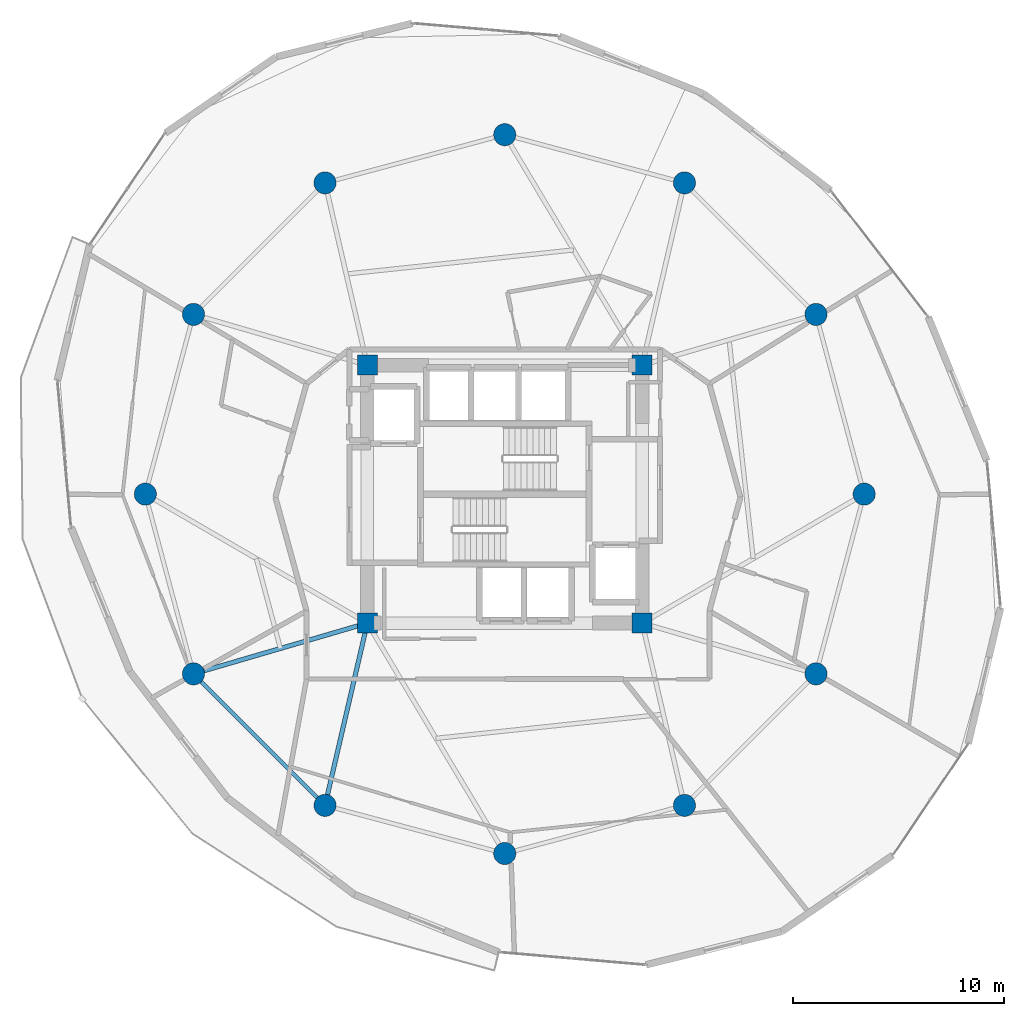
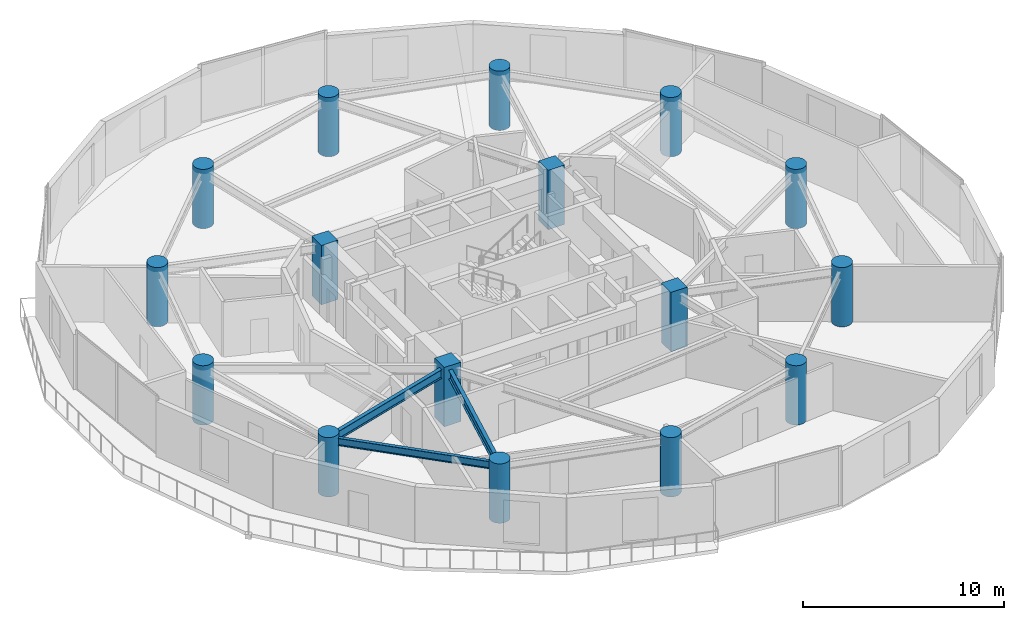
# One storey, part 1 of 22: 16 columns, 3 beams.
"""IFC4 building model written with IfcOpenShell, lengths in metres."""

import ifcopenshell
import ifcopenshell.guid

model = None  # the IFC model being written
_history = None  # IfcOwnerHistory: only IFC2X3 demands one
_inside = {}  # id of a spatial element -> (the spatial element, [elements in it])
_under = {}  # id of a project, library or spatial element -> (it, [spatial elements below it])
_declared = {}  # id of a project -> (the project, [libraries it declares])
_typed = {}  # id of a type object -> (the type object, [elements of that type])
_made_of = {}  # id of a material, layer set ... -> (it, [elements and type objects made of it])


def new_model(schema):
    """Start an empty IFC model of exactly this schema.

    Asked for "IFC4X3", IfcOpenShell would pick the latest addendum, in which some entities
    have other attributes; the version numbers below select the first issue.
    IFC2X3 requires an IfcOwnerHistory on every rooted entity: one is made here for all.
    """
    global model, _history
    if schema == "IFC4X3":
        model = ifcopenshell.file(schema_version=(4, 3, 0, 0))
    else:
        model = ifcopenshell.file(schema=schema)
    _inside.clear()
    _under.clear()
    _declared.clear()
    _typed.clear()
    _made_of.clear()
    _history = None
    if model.schema == "IFC2X3":
        org = make("IfcOrganization", Name="unknown")
        user = make(
            "IfcPersonAndOrganization",
            ThePerson=make("IfcPerson", FamilyName="unknown"),
            TheOrganization=org,
        )
        app = make(
            "IfcApplication",
            ApplicationDeveloper=org,
            Version="unknown",
            ApplicationFullName="unknown",
            ApplicationIdentifier="unknown",
        )
        _history = make(
            "IfcOwnerHistory",
            OwningUser=user,
            OwningApplication=app,
            ChangeAction="ADDED",
            CreationDate=0,
        )
    return model


def make(cls, **values):
    """One entity of the class cls with the attributes given. An attribute that is None is left unset."""
    return model.create_entity(
        cls, **{name: value for name, value in values.items() if value is not None}
    )


def rooted(cls, **values):
    """An entity with a GlobalId (a new one), such as an element, a storey or a relation."""
    return make(cls, GlobalId=ifcopenshell.guid.new(), OwnerHistory=_history, **values)


def si_unit(unit_type, name, prefix=None):
    """IfcSIUnit, for example si_unit("LENGTHUNIT", "METRE", prefix="MILLI")."""
    return make("IfcSIUnit", UnitType=unit_type, Prefix=prefix, Name=name)


def assignment(units):
    """IfcUnitAssignment: the units of a project."""
    return None if units is None else make("IfcUnitAssignment", Units=units)


def point(xyz):
    """IfcCartesianPoint."""
    return None if xyz is None else make("IfcCartesianPoint", Coordinates=xyz)


def direction(xyz):
    """IfcDirection."""
    return None if xyz is None else make("IfcDirection", DirectionRatios=xyz)


def frame(location, z_axis=None, x_axis=None):
    """IfcAxis2Placement3D, a coordinate frame: its origin and axes. An axis left out is left unset."""
    return make(
        "IfcAxis2Placement3D",
        Location=point(location),
        Axis=direction(z_axis),
        RefDirection=direction(x_axis),
    )


def frame_2d(location, x_axis=None):
    """IfcAxis2Placement2D, a coordinate frame in the plane: its origin and x axis."""
    return make(
        "IfcAxis2Placement2D", Location=point(location), RefDirection=direction(x_axis)
    )


def origin():
    """The frame at (0, 0, 0) with its axes left unset."""
    return frame((0.0, 0.0, 0.0))


def origin_2d():
    """The frame at (0, 0) in the plane with its x axis left unset."""
    return frame_2d((0.0, 0.0))


def place(relative_to, where):
    """IfcLocalPlacement: puts the frame where relative to a parent placement (None: the world)."""
    return make(
        "IfcLocalPlacement", PlacementRelTo=relative_to, RelativePlacement=where
    )


def context(
    kind, dimensions, precision=None, world=None, true_north=None, identifier=None
):
    """IfcGeometricRepresentationContext, for example the 3D "Model" context."""
    return make(
        "IfcGeometricRepresentationContext",
        ContextIdentifier=identifier,
        ContextType=kind,
        CoordinateSpaceDimension=dimensions,
        Precision=precision,
        WorldCoordinateSystem=world,
        TrueNorth=true_north,
    )


def subcontext(parent, identifier, kind, view, scale=None):
    """IfcGeometricRepresentationSubContext, for example "Body" below "Model"."""
    return make(
        "IfcGeometricRepresentationSubContext",
        ContextIdentifier=identifier,
        ContextType=kind,
        ParentContext=parent,
        TargetScale=scale,
        TargetView=view,
    )


def project(units=None, contexts=None):
    """IfcProject with its units and contexts."""
    return rooted(
        "IfcProject",
        Name="project",
        RepresentationContexts=contexts,
        UnitsInContext=assignment(units),
    )


def spatial(cls, under=None, at=None, **own):
    """A site, building, storey or space (cls), placed at a placement, below another one or the project."""
    s = rooted(cls, ObjectPlacement=at, **own)
    if under is not None:
        _under.setdefault(under.id(), (under, []))[1].append(s)
    return s


def profile(cls, at=None, kind="AREA", **sizes):
    """A parametric profile (cls). Its sizes go by their IFC names, for example OverallWidth=200.0."""
    return make(cls, ProfileType=kind, Position=at, **sizes)


def rectangle(**sizes):
    """IfcRectangleProfileDef."""
    return profile("IfcRectangleProfileDef", **sizes)


def circle(**sizes):
    """IfcCircleProfileDef."""
    return profile("IfcCircleProfileDef", **sizes)


def i_section(**sizes):
    """IfcIShapeProfileDef."""
    return profile("IfcIShapeProfileDef", **sizes)


def extrude(swept, where, along, depth):
    """IfcExtrudedAreaSolid: the profile swept, set in the frame where, extruded along a direction by depth."""
    return make(
        "IfcExtrudedAreaSolid",
        SweptArea=swept,
        Position=where,
        ExtrudedDirection=direction(along),
        Depth=depth,
    )


def shape(context_of_items, identifier, shape_type, items):
    """IfcShapeRepresentation: the items that make up one representation, for example the "Body"."""
    return make(
        "IfcShapeRepresentation",
        ContextOfItems=context_of_items,
        RepresentationIdentifier=identifier,
        RepresentationType=shape_type,
        Items=items,
    )


def material(Name=None, Category=None):
    """IfcMaterial."""
    return make("IfcMaterial", Name=Name, Category=Category)


def material_profile(
    of_material, cross_section, Name=None, Category=None, Priority=None
):
    """IfcMaterialProfile: a cross section and its material."""
    return make(
        "IfcMaterialProfile",
        Name=Name,
        Material=of_material,
        Profile=cross_section,
        Priority=Priority,
        Category=Category,
    )


def profile_set(profiles, Name=None, composite=None):
    """IfcMaterialProfileSet."""
    return make(
        "IfcMaterialProfileSet",
        Name=Name,
        MaterialProfiles=profiles,
        CompositeProfile=composite,
    )


def made_of(thing, what):
    """Note that an element or type object is made of a material, layer set ...; save() writes the relation."""
    if what is not None:
        _made_of.setdefault(what.id(), (what, []))[1].append(thing)
    return thing


def type_object(cls, material=None, **own):
    """A type object (cls), such as IfcWallType, which elements share."""
    return made_of(rooted(cls, **own), material)


def element(
    cls,
    number,
    at=None,
    inside=None,
    cuts=None,
    type_object=None,
    material=None,
    context=None,
    identifier="Body",
    shape_type=None,
    held_by="IfcProductDefinitionShape",
    body=None,
    shapes=None,
    **own,
):
    """One element of the class cls, such as IfcWall. Its Tag is "e" and its number.

    at: its placement. inside: the storey or other place that contains it. cuts: it is an
    opening in that element (IfcRelVoidsElement). A single representation is given by context,
    identifier, shape_type and body (its items); several are given by shapes. held_by: the class
    of the entity that holds the representations. save() writes the other relations.
    """
    e = rooted(cls, Tag="e%d" % number, ObjectPlacement=at, **own)
    if body is not None:
        shapes = [shape(context, identifier, shape_type, body)]
    if shapes is not None:
        e.Representation = make(held_by, Representations=shapes)
    if inside is not None:
        _inside.setdefault(inside.id(), (inside, []))[1].append(e)
    if cuts is not None:
        rooted(
            "IfcRelVoidsElement", RelatingBuildingElement=cuts, RelatedOpeningElement=e
        )
    if type_object is not None:
        _typed.setdefault(type_object.id(), (type_object, []))[1].append(e)
    return made_of(e, material)


def aggregate(whole, parts):
    """IfcRelAggregates: a whole, such as a stair, and the parts it consists of."""
    return rooted("IfcRelAggregates", RelatingObject=whole, RelatedObjects=parts)


def save(model, path):
    """Write the relations noted so far, then the file.

    IfcRelAggregates (storeys below a building ...), IfcRelContainedInSpatialStructure (elements
    in a storey), IfcRelDefinesByType, IfcRelAssociatesMaterial and IfcRelDeclares: one each for
    every whole, place, type object, material and project.
    """
    for whole, parts in _under.values():
        aggregate(whole, parts)
    for where, things in _inside.values():
        rooted(
            "IfcRelContainedInSpatialStructure",
            RelatedElements=things,
            RelatingStructure=where,
        )
    for kind, things in _typed.values():
        rooted("IfcRelDefinesByType", RelatedObjects=things, RelatingType=kind)
    for what, things in _made_of.values():
        rooted("IfcRelAssociatesMaterial", RelatedObjects=things, RelatingMaterial=what)
    for by, libraries in _declared.values():
        rooted("IfcRelDeclares", RelatingContext=by, RelatedDefinitions=libraries)
    model.write(path)


model = new_model("IFC4")

# Units and contexts
model_context = context("Model", 3, precision=1e-05, world=origin(), true_north=direction((0.0, 1.0)))
body_context = subcontext(model_context, "Body", "Model", "MODEL_VIEW")
ifc_project = project(units=[si_unit("LENGTHUNIT", "METRE"), si_unit("AREAUNIT", "SQUARE_METRE"), si_unit("VOLUMEUNIT", "CUBIC_METRE"), si_unit("PLANEANGLEUNIT", "RADIAN"), si_unit("MASSUNIT", "GRAM", prefix="KILO")], contexts=[model_context])

# Site, building, storey
site_placement = place(None, origin())
site = spatial("IfcSite", under=ifc_project, at=site_placement, CompositionType="ELEMENT")
building_placement = place(site_placement, origin())
building = spatial("IfcBuilding", under=site, at=building_placement, Name="Solvirekh Grand Hotel", CompositionType="ELEMENT")
storey_placement = place(building_placement, frame((0.0, 0.0, 145.800048828125)))
storey = spatial("IfcBuildingStorey", under=building, at=storey_placement, Name="L37", CompositionType="ELEMENT", Elevation=145.800048828125)

# Columns
ifc_material_1 = material(Name="Concrete C50/60", Category="concrete")
ifc_material_profile_1 = material_profile(ifc_material_1, rectangle(XDim=0.949951171875, YDim=0.949951171875, at=origin_2d()), Name="RC 950X950")
ifc_profile_set_1 = profile_set([ifc_material_profile_1], Name="Concrete C50/60")
column_type_1 = type_object("IfcColumnType", Name="Col_Core_950", PredefinedType="COLUMN", material=ifc_profile_set_1)
for number, where, z_axis, x_axis, name in (
    (1, (-6.5, -6.10009765625, 0.0), (0.0, 0.0, 1.0), (1.0, 0.0, 0.0), "L37 core corner column CC1"),
    (2, (6.5, -6.10009765625, 0.0), (0.0, 0.0, 1.0), (1.0, 0.0, 0.0), "L37 core corner column CC2"),
    (3, (6.5, 6.10009765625, 0.0), (0.0, 0.0, 1.0), (1.0, 0.0, 0.0), "L37 core corner column CC3"),
    (4, (-6.5, 6.10009765625, 0.0), (0.0, 0.0, 1.0), (1.0, 0.0, 0.0), "L37 core corner column CC4"),
):
    element("IfcColumn", number, at=place(storey_placement, frame(where, z_axis=z_axis, x_axis=x_axis)), inside=storey, type_object=column_type_1, Name=name, PredefinedType="COLUMN", context=body_context, shape_type="SweptSolid", body=[
        extrude(rectangle(XDim=0.949951171875, YDim=0.949951171875, at=origin_2d()), origin(), (0.0, 0.0, 1.0), 3.599853515625),
    ])
ifc_material_profile_2 = material_profile(ifc_material_1, circle(Radius=0.52490234375, at=origin_2d()), Name="RC CIRC D1050")
ifc_profile_set_2 = profile_set([ifc_material_profile_2], Name="Concrete C50/60")
column_type_2 = type_object("IfcColumnType", Name="Col_Z2_D1050", PredefinedType="COLUMN", material=ifc_profile_set_2)
for number, where, z_axis, x_axis, name in (
    (5, (17.0, 0.0, 0.0), (0.0, 0.0, 1.0), (1.0, 0.0, 0.0), "L37 perimeter column P01"),
    (6, (14.721923828125, 8.5, 0.0), (0.0, 0.0, 1.0), (1.0, 0.0, 0.0), "L37 perimeter column P02"),
    (7, (8.5, 14.721923828125, 0.0), (0.0, 0.0, 1.0), (1.0, 0.0, 0.0), "L37 perimeter column P03"),
    (8, (0.0, 17.0, 0.0), (0.0, 0.0, 1.0), (1.0, 0.0, 0.0), "L37 perimeter column P04"),
    (9, (-8.5, 14.721923828125, 0.0), (0.0, 0.0, 1.0), (1.0, 0.0, 0.0), "L37 perimeter column P05"),
    (10, (-14.721923828125, 8.5, 0.0), (0.0, 0.0, 1.0), (1.0, 0.0, 0.0), "L37 perimeter column P06"),
    (11, (-17.0, 0.0, 0.0), (0.0, 0.0, 1.0), (1.0, 0.0, 0.0), "L37 perimeter column P07"),
    (12, (-14.721923828125, -8.5, 0.0), (0.0, 0.0, 1.0), (1.0, 0.0, 0.0), "L37 perimeter column P08"),
    (13, (-8.5, -14.721923828125, 0.0), (0.0, 0.0, 1.0), (1.0, 0.0, 0.0), "L37 perimeter column P09"),
    (14, (0.0, -17.0, 0.0), (0.0, 0.0, 1.0), (1.0, 0.0, 0.0), "L37 perimeter column P10"),
    (15, (8.5, -14.721923828125, 0.0), (0.0, 0.0, 1.0), (1.0, 0.0, 0.0), "L37 perimeter column P11"),
    (16, (14.721923828125, -8.5, 0.0), (0.0, 0.0, 1.0), (1.0, 0.0, 0.0), "L37 perimeter column P12"),
):
    element("IfcColumn", number, at=place(storey_placement, frame(where, z_axis=z_axis, x_axis=x_axis)), inside=storey, type_object=column_type_2, Name=name, PredefinedType="COLUMN", context=body_context, shape_type="SweptSolid", body=[
        extrude(circle(Radius=0.52490234375, at=origin_2d()), origin(), (0.0, 0.0, 1.0), 3.599853515625),
    ])

# Beams
ifc_material_2 = material(Name="Steel S355", Category="steel")
ifc_material_profile_3 = material_profile(ifc_material_2, i_section(OverallWidth=0.2119140625, OverallDepth=0.5439453125, WebThickness=0.011962890625, FlangeThickness=0.01904296875, FilletRadius=0.013916015625, at=origin_2d()), Name="W530X123")
ifc_profile_set_3 = profile_set([ifc_material_profile_3], Name="Steel S355")
beam_type_1 = type_object("IfcBeamType", Name="Beam_Radial_W530H", PredefinedType="BEAM", material=ifc_profile_set_3)
beam_1_placement = place(storey_placement, frame((-6.5, -6.10009765625, 3.077880859375), z_axis=(-0.959942195467, -0.28019811092, 0.0), x_axis=(0.28019811092, -0.959942195467, 0.0)))
element("IfcBeam", 17, at=beam_1_placement, inside=storey, type_object=beam_type_1, Name="L37 radial floor beam R08", PredefinedType="BEAM", context=body_context, shape_type="SweptSolid", body=[
    extrude(i_section(OverallWidth=0.2119140625, OverallDepth=0.5439453125, WebThickness=0.011962890625, FlangeThickness=0.01904296875, FilletRadius=0.013916015625, at=origin_2d()), origin(), (0.0, 0.0, 1.0), 8.56494140625),
])
beam_2_placement = place(storey_placement, frame((-6.5, -6.10009765625, 3.077880859375), z_axis=(-0.225969390542, -0.974134402707, 0.0), x_axis=(0.974134402707, -0.225969390542, 0.0)))
element("IfcBeam", 18, at=beam_2_placement, inside=storey, type_object=beam_type_1, Name="L37 radial floor beam R09", PredefinedType="BEAM", context=body_context, shape_type="SweptSolid", body=[
    extrude(i_section(OverallWidth=0.2119140625, OverallDepth=0.5439453125, WebThickness=0.011962890625, FlangeThickness=0.01904296875, FilletRadius=0.013916015625, at=origin_2d()), origin(), (0.0, 0.0, 1.0), 8.850830078125),
])
ifc_material_profile_4 = material_profile(ifc_material_2, i_section(OverallWidth=0.18994140625, OverallDepth=0.45703125, WebThickness=0.009033203125, FlangeThickness=0.013916015625, FilletRadius=0.012939453125, at=origin_2d()), Name="W460X74")
ifc_profile_set_4 = profile_set([ifc_material_profile_4], Name="Steel S355")
beam_type_2 = type_object("IfcBeamType", Name="Spandrel_Ring_W460", PredefinedType="SPANDREL", material=ifc_profile_set_4)
beam_3_placement = place(storey_placement, frame((-14.721923828125, -8.5, 3.1220703125), z_axis=(0.707106781187, -0.707106781187, 0.0), x_axis=(0.707106781187, 0.707106781187, 0.0)))
element("IfcBeam", 19, at=beam_3_placement, inside=storey, type_object=beam_type_2, Name="L37 perimeter spandrel beam 8", PredefinedType="SPANDREL", context=body_context, shape_type="SweptSolid", body=[
    extrude(i_section(OverallWidth=0.18994140625, OverallDepth=0.45703125, WebThickness=0.009033203125, FlangeThickness=0.013916015625, FilletRadius=0.012939453125, at=origin_2d()), origin(), (0.0, 0.0, 1.0), 8.799072265625),
])

save(model, "model.ifc")
